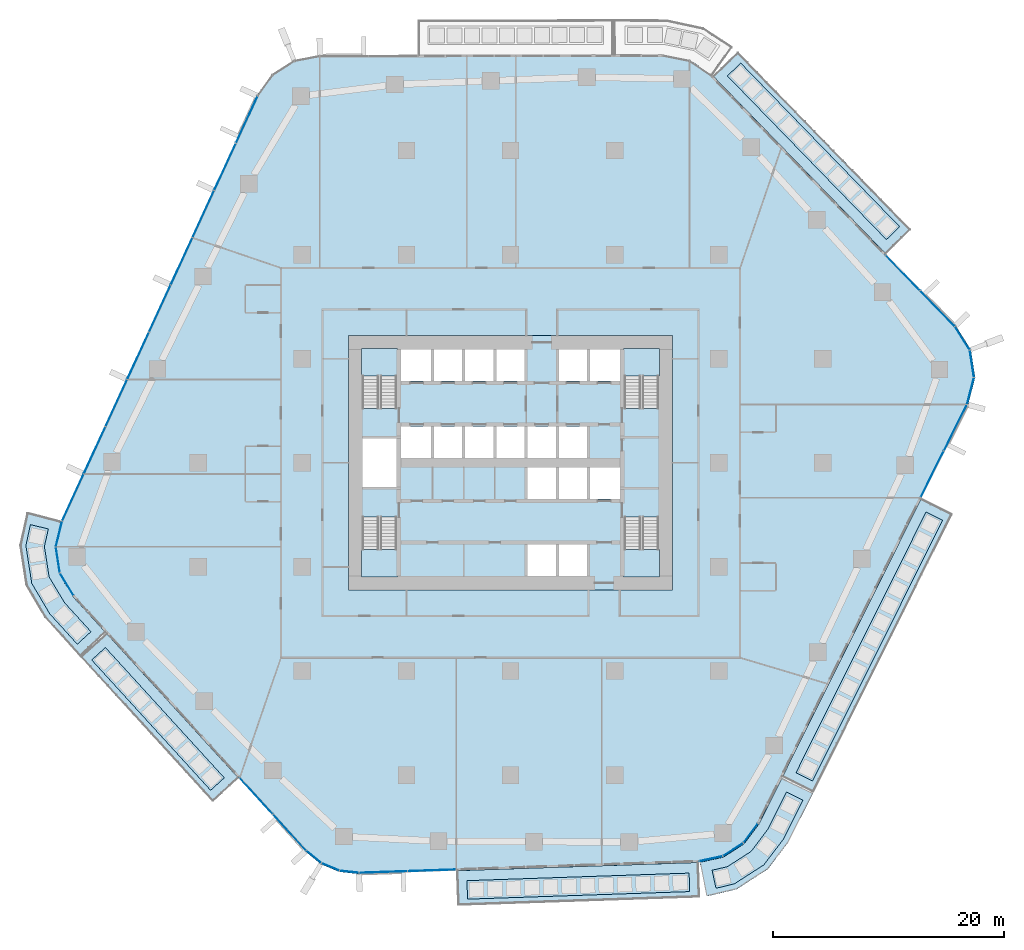
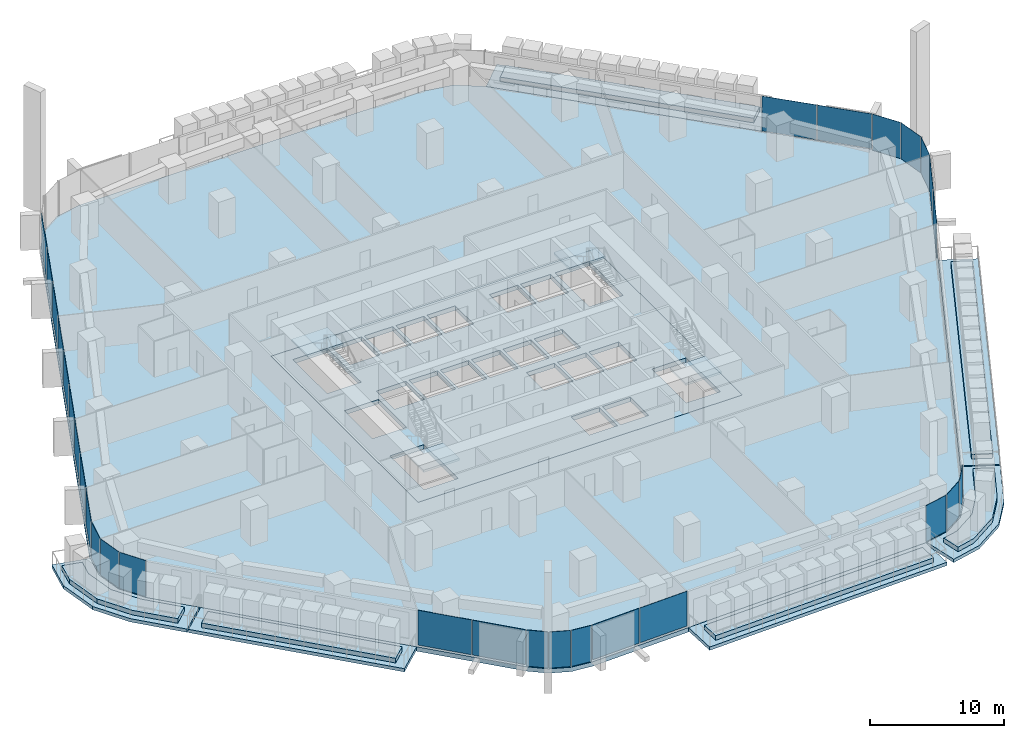
# One storey, part 11 of 26: 29 plates, 18 slabs, 13 elements without a shape of their own.
"""IFC4 building model written with IfcOpenShell, lengths in metres."""

from ifc_helpers import new_model, si_unit, direction, frame, origin, origin_2d, place, context, subcontext, project, spatial, polyline, rectangle, outline, extrude, material, layer, layer_set, type_object, element, aggregate, save


model = new_model("IFC4")

# Units and contexts
model_context = context("Model", 3, precision=1e-05, world=origin(), true_north=direction((0.0, 1.0)))
body_context = subcontext(model_context, "Body", "Model", "MODEL_VIEW")
ifc_project = project(units=[si_unit("LENGTHUNIT", "METRE"), si_unit("AREAUNIT", "SQUARE_METRE"), si_unit("VOLUMEUNIT", "CUBIC_METRE"), si_unit("PLANEANGLEUNIT", "RADIAN"), si_unit("MASSUNIT", "GRAM", prefix="KILO")], contexts=[model_context])

# Site, building, storey
site_placement = place(None, origin())
site = spatial("IfcSite", under=ifc_project, at=site_placement, CompositionType="ELEMENT")
building_placement = place(site_placement, origin())
building = spatial("IfcBuilding", under=site, at=building_placement, Name="Dongbaek Canopy Tower", CompositionType="ELEMENT")
storey_placement = place(building_placement, frame((0.0, 0.0, 66.199951171875)))
storey = spatial("IfcBuildingStorey", under=building, at=storey_placement, Name="L12", CompositionType="ELEMENT", Elevation=66.199951171875)

# Slabs
ifc_material_1 = material(Name="Concrete C40/50", Category="concrete")
ifc_layer_1 = layer(ifc_material_1, 0.300048828125)
ifc_layer_set_1 = layer_set([ifc_layer_1], Name="Balcony slab 300")
slab_type_1 = type_object("IfcSlabType", Name="Balcony slab 300", PredefinedType="FLOOR", material=ifc_layer_set_1)
slab_1_placement = place(storey_placement, frame((0.0, 0.0, -0.300048828125)))
element("IfcSlab", 1, at=slab_1_placement, inside=storey, type_object=slab_type_1, Name="Balcony L12 1", PredefinedType="FLOOR", context=body_context, shape_type="SweptSolid", body=[
    extrude(outline(polyline([(32.453369140625, 18.074462890625), (17.52197265625, 33.441162109375), (19.67333984375, 35.53173828125), (34.60498046875, 20.165283203125), (32.453369140625, 18.074462890625)])), origin(), (0.0, 0.0, 1.0), 0.300048828125),
])
slab_2_placement = place(storey_placement, frame((0.0, 0.0, -0.300048828125)))
element("IfcSlab", 2, at=slab_2_placement, inside=storey, type_object=slab_type_1, Name="Balcony L12 3", PredefinedType="FLOOR", context=body_context, shape_type="SweptSolid", body=[
    extrude(outline(polyline([(-34.946044921875, -14.74072265625), (-23.51904296875, -27.2646484375), (-25.7353515625, -29.28662109375), (-37.162109375, -16.762939453125), (-34.946044921875, -14.74072265625)])), origin(), (0.0, 0.0, 1.0), 0.300048828125),
])
slab_3_placement = place(storey_placement, frame((0.0, 0.0, -0.300048828125)))
element("IfcSlab", 3, at=slab_3_placement, inside=storey, type_object=slab_type_1, Name="Balcony L12 7", PredefinedType="FLOOR", context=body_context, shape_type="SweptSolid", body=[
    extrude(outline(polyline([(-38.88330078125, -5.05078125), (-39.416015625, -7.2646484375), (-39.05859375, -9.56396484375), (-37.853271484375, -11.554443359375), (-35.013427734375, -14.6669921875), (-37.2294921875, -16.68896484375), (-40.255859375, -13.350830078125), (-41.87744140625, -10.5908203125), (-42.413330078125, -7.1416015625), (-41.800048828125, -4.34912109375), (-38.88330078125, -5.05078125)])), origin(), (0.0, 0.0, 1.0), 0.300048828125),
])
slab_4_placement = place(storey_placement, frame((0.0, 0.0, -0.300048828125)))
element("IfcSlab", 4, at=slab_4_placement, inside=storey, type_object=slab_type_1, Name="Balcony L12 4", PredefinedType="FLOOR", context=body_context, shape_type="SweptSolid", body=[
    extrude(outline(polyline([(-4.64892578125, -35.265869140625), (16.259521484375, -34.55615234375), (16.361328125, -37.554443359375), (-4.547119140625, -38.26416015625), (-4.64892578125, -35.265869140625)])), origin(), (0.0, 0.0, 1.0), 0.300048828125),
])
slab_5_placement = place(storey_placement, frame((0.0, 0.0, -0.300048828125)))
element("IfcSlab", 5, at=slab_5_placement, inside=storey, type_object=slab_type_1, Name="Balcony L12 5", PredefinedType="FLOOR", context=body_context, shape_type="SweptSolid", body=[
    extrude(outline(polyline([(23.506103515625, -27.1650390625), (35.5146484375, -3.094482421875), (38.198974609375, -4.433837890625), (26.1904296875, -28.504150390625), (23.506103515625, -27.1650390625)])), origin(), (0.0, 0.0, 1.0), 0.300048828125),
])
slab_6_placement = place(storey_placement, frame((0.0, 0.0, -0.300048828125)))
element("IfcSlab", 6, at=slab_6_placement, inside=storey, type_object=slab_type_1, Name="Balcony L12 8", PredefinedType="FLOOR", context=body_context, shape_type="SweptSolid", body=[
    extrude(outline(polyline([(16.3583984375, -34.5439453125), (18.39794921875, -34.102783203125), (20.19580078125, -32.947998046875), (21.474853515625, -31.236328125), (23.46142578125, -27.25439453125), (26.145751953125, -28.59375), (24.02880859375, -32.810302734375), (22.24072265625, -35.14306640625), (19.5439453125, -36.875244140625), (16.992431640625, -37.47607421875), (16.3583984375, -34.5439453125)])), origin(), (0.0, 0.0, 1.0), 0.300048828125),
])

# Curtain wall, plates
ifc_material_2 = material(Name="Aluminium 6063-T6 pale anodised", Category="aluminium")
ifc_layer_2 = layer(ifc_material_2, 0.199951171875)
ifc_layer_set_2 = layer_set([ifc_layer_2], Name="CW-1 unitised tower curtain wall")
curtain_wall_type = type_object("IfcCurtainWallType", Name="CW-1 unitised tower curtain wall", PredefinedType="NOTDEFINED", material=ifc_layer_set_2)
curtain_wall_1_placement = place(storey_placement, origin())
curtain_wall_1 = element("IfcCurtainWall", 7, at=curtain_wall_1_placement, inside=storey, type_object=curtain_wall_type, Name="CW-1 curtain wall K0.1", PredefinedType="NOTDEFINED")
ifc_material_3 = material(Name="Clear laminated glass", Category="glass")
ifc_layer_3 = layer(ifc_material_3, 0.028076171875)
ifc_layer_set_3 = layer_set([ifc_layer_3], Name="CW-1 glazed panel 28")
plate_type = type_object("IfcPlateType", Name="CW-1 glazed panel 28", PredefinedType="CURTAIN_PANEL", material=ifc_layer_set_3)
plate_1_placement = place(storey_placement, frame((39.76806640625, 6.208740234375, 0.0), z_axis=(0.0, 0.0, 1.0), x_axis=(0.254303572242, 0.967124445532, 0.0)))
plate_1 = element("IfcPlate", 8, at=plate_1_placement, type_object=plate_type, Name="CW-1 panel K0.1.1.1", PredefinedType="CURTAIN_PANEL", context=body_context, shape_type="SweptSolid", body=[
    extrude(rectangle(XDim=2.3349609375, YDim=0.028076171875, at=origin_2d()), origin(), (0.0, 0.0, 1.0), 3.300048828125),
])
plate_2_placement = place(storey_placement, frame((39.890869140625, 8.568359375, 0.0), z_axis=(0.0, 0.0, 1.0), x_axis=(-0.153529895186, 0.988144003313, 0.0)))
plate_2 = element("IfcPlate", 9, at=plate_2_placement, type_object=plate_type, Name="CW-1 panel K0.1.2.1", PredefinedType="CURTAIN_PANEL", context=body_context, shape_type="SweptSolid", body=[
    extrude(rectangle(XDim=2.324462890625, YDim=0.028076171875, at=origin_2d()), origin(), (0.0, 0.0, 1.0), 3.300048828125),
])
plate_3_placement = place(storey_placement, frame((39.057861328125, 10.77978515625, 0.0), z_axis=(0.0, 0.0, 1.0), x_axis=(-0.535759188309, 0.844370826203, 0.0)))
plate_3 = element("IfcPlate", 10, at=plate_3_placement, type_object=plate_type, Name="CW-1 panel K0.1.3.1", PredefinedType="CURTAIN_PANEL", context=body_context, shape_type="SweptSolid", body=[
    extrude(rectangle(XDim=2.3349609375, YDim=0.028076171875, at=origin_2d()), origin(), (0.0, 0.0, 1.0), 3.300048828125),
])
aggregate(curtain_wall_1, [plate_1, plate_2, plate_3])

curtain_wall_2_placement = place(storey_placement, origin())
curtain_wall_2 = element("IfcCurtainWall", 11, at=curtain_wall_2_placement, inside=storey, type_object=curtain_wall_type, Name="CW-1 curtain wall F0.1", PredefinedType="NOTDEFINED")
plate_4_placement = place(storey_placement, frame((36.913330078125, 13.34130859375, 0.1201171875), z_axis=(0.0, 0.0, 1.0), x_axis=(-0.696881592027, 0.717186200853, 0.0)))
plate_4 = element("IfcPlate", 12, at=plate_4_placement, type_object=plate_type, Name="CW-1 panel F0.1.1.1", PredefinedType="CURTAIN_PANEL", context=body_context, shape_type="SweptSolid", body=[
    extrude(rectangle(XDim=4.2109375, YDim=0.028076171875, at=origin_2d()), origin(), (0.0, 0.0, 1.0), 3.179931640625),
])
plate_5_placement = place(storey_placement, frame((33.916748046875, 16.425048828125, 0.1201171875), z_axis=(0.0, 0.0, 1.0), x_axis=(-0.696881592027, 0.717186200853, 0.0)))
plate_5 = element("IfcPlate", 13, at=plate_5_placement, type_object=plate_type, Name="CW-1 panel F0.1.2.1", PredefinedType="CURTAIN_PANEL", context=body_context, shape_type="SweptSolid", body=[
    extrude(rectangle(XDim=4.22119140625, YDim=0.028076171875, at=origin_2d()), origin(), (0.0, 0.0, 1.0), 3.179931640625),
])
aggregate(curtain_wall_2, [plate_4, plate_5])

curtain_wall_3_placement = place(storey_placement, origin())
curtain_wall_3 = element("IfcCurtainWall", 14, at=curtain_wall_3_placement, inside=storey, type_object=curtain_wall_type, Name="CW-1 curtain wall F2.1", PredefinedType="NOTDEFINED")
plate_6_placement = place(storey_placement, frame((-22.805419921875, 29.6728515625, 0.1201171875), z_axis=(0.0, 0.0, 1.0), x_axis=(-0.418024643264, -0.908435687115, 0.0)))
plate_6 = element("IfcPlate", 15, at=plate_6_placement, type_object=plate_type, Name="CW-1 panel F2.1.1.1", PredefinedType="CURTAIN_PANEL", context=body_context, shape_type="SweptSolid", body=[
    extrude(rectangle(XDim=4.403076171875, YDim=0.028076171875, at=origin_2d()), origin(), (0.0, 0.0, 1.0), 3.179931640625),
])
plate_7_placement = place(storey_placement, frame((-24.68310546875, 25.59228515625, 0.1201171875), z_axis=(0.0, 0.0, 1.0), x_axis=(-0.418024643264, -0.908435687115, 0.0)))
plate_7 = element("IfcPlate", 16, at=plate_7_placement, type_object=plate_type, Name="CW-1 panel F2.1.2.1", PredefinedType="CURTAIN_PANEL", context=body_context, shape_type="SweptSolid", body=[
    extrude(rectangle(XDim=4.41259765625, YDim=0.028076171875, at=origin_2d()), origin(), (0.0, 0.0, 1.0), 3.179931640625),
])
plate_8_placement = place(storey_placement, frame((-26.562744140625, 21.50732421875, 0.1201171875), z_axis=(0.0, 0.0, 1.0), x_axis=(-0.418024643264, -0.908435687115, 0.0)))
plate_8 = element("IfcPlate", 17, at=plate_8_placement, type_object=plate_type, Name="CW-1 panel F2.1.3.1", PredefinedType="CURTAIN_PANEL", context=body_context, shape_type="SweptSolid", body=[
    extrude(rectangle(XDim=4.41259765625, YDim=0.028076171875, at=origin_2d()), origin(), (0.0, 0.0, 1.0), 3.179931640625),
])
plate_9_placement = place(storey_placement, frame((-28.442626953125, 17.422607421875, 0.1201171875), z_axis=(0.0, 0.0, 1.0), x_axis=(-0.418024643264, -0.908435687115, 0.0)))
plate_9 = element("IfcPlate", 18, at=plate_9_placement, type_object=plate_type, Name="CW-1 panel F2.1.4.1", PredefinedType="CURTAIN_PANEL", context=body_context, shape_type="SweptSolid", body=[
    extrude(rectangle(XDim=4.41259765625, YDim=0.028076171875, at=origin_2d()), origin(), (0.0, 0.0, 1.0), 3.179931640625),
])
plate_10_placement = place(storey_placement, frame((-30.322265625, 13.337646484375, 0.1201171875), z_axis=(0.0, 0.0, 1.0), x_axis=(-0.418024643264, -0.908435687115, 0.0)))
plate_10 = element("IfcPlate", 19, at=plate_10_placement, type_object=plate_type, Name="CW-1 panel F2.1.5.1", PredefinedType="CURTAIN_PANEL", context=body_context, shape_type="SweptSolid", body=[
    extrude(rectangle(XDim=4.41259765625, YDim=0.028076171875, at=origin_2d()), origin(), (0.0, 0.0, 1.0), 3.179931640625),
])
plate_11_placement = place(storey_placement, frame((-32.201904296875, 9.2529296875, 0.1201171875), z_axis=(0.0, 0.0, 1.0), x_axis=(-0.418024643264, -0.908435687115, 0.0)))
plate_11 = element("IfcPlate", 20, at=plate_11_placement, type_object=plate_type, Name="CW-1 panel F2.1.6.1", PredefinedType="CURTAIN_PANEL", context=body_context, shape_type="SweptSolid", body=[
    extrude(rectangle(XDim=4.41259765625, YDim=0.028076171875, at=origin_2d()), origin(), (0.0, 0.0, 1.0), 3.179931640625),
])
plate_12_placement = place(storey_placement, frame((-34.08154296875, 5.168212890625, 0.1201171875), z_axis=(0.0, 0.0, 1.0), x_axis=(-0.418024643264, -0.908435687115, 0.0)))
plate_12 = element("IfcPlate", 21, at=plate_12_placement, type_object=plate_type, Name="CW-1 panel F2.1.7.1", PredefinedType="CURTAIN_PANEL", context=body_context, shape_type="SweptSolid", body=[
    extrude(rectangle(XDim=4.41259765625, YDim=0.028076171875, at=origin_2d()), origin(), (0.0, 0.0, 1.0), 3.179931640625),
])
plate_13_placement = place(storey_placement, frame((-35.961181640625, 1.083251953125, 0.1201171875), z_axis=(0.0, 0.0, 1.0), x_axis=(-0.418024643264, -0.908435687115, 0.0)))
plate_13 = element("IfcPlate", 22, at=plate_13_placement, type_object=plate_type, Name="CW-1 panel F2.1.8.1", PredefinedType="CURTAIN_PANEL", context=body_context, shape_type="SweptSolid", body=[
    extrude(rectangle(XDim=4.41259765625, YDim=0.028076171875, at=origin_2d()), origin(), (0.0, 0.0, 1.0), 3.179931640625),
])
plate_14_placement = place(storey_placement, frame((-37.8388671875, -2.9970703125, 0.1201171875), z_axis=(0.0, 0.0, 1.0), x_axis=(-0.418024643264, -0.908435687115, 0.0)))
plate_14 = element("IfcPlate", 23, at=plate_14_placement, type_object=plate_type, Name="CW-1 panel F2.1.9.1", PredefinedType="CURTAIN_PANEL", context=body_context, shape_type="SweptSolid", body=[
    extrude(rectangle(XDim=4.40283203125, YDim=0.028076171875, at=origin_2d()), origin(), (0.0, 0.0, 1.0), 3.179931640625),
])
aggregate(curtain_wall_3, [plate_6, plate_7, plate_8, plate_9, plate_10, plate_11, plate_12, plate_13, plate_14])

curtain_wall_4_placement = place(storey_placement, origin())
curtain_wall_4 = element("IfcCurtainWall", 24, at=curtain_wall_4_placement, inside=storey, type_object=curtain_wall_type, Name="CW-1 curtain wall K3.1", PredefinedType="NOTDEFINED")
plate_15_placement = place(storey_placement, frame((-39.04541015625, -6.15185546875, 0.0), z_axis=(0.0, 0.0, 1.0), x_axis=(-0.233932352085, -0.972252875875, 0.0)))
plate_15 = element("IfcPlate", 25, at=plate_15_placement, type_object=plate_type, Name="CW-1 panel K3.1.1.1", PredefinedType="CURTAIN_PANEL", context=body_context, shape_type="SweptSolid", body=[
    extrude(rectangle(XDim=2.21337890625, YDim=0.028076171875, at=origin_2d()), origin(), (0.0, 0.0, 1.0), 3.300048828125),
])
plate_16_placement = place(storey_placement, frame((-39.138427734375, -8.39892578125, 0.0), z_axis=(0.0, 0.0, 1.0), x_axis=(0.153568518099, -0.988138001622, 0.0)))
plate_16 = element("IfcPlate", 26, at=plate_16_placement, type_object=plate_type, Name="CW-1 panel K3.1.2.1", PredefinedType="CURTAIN_PANEL", context=body_context, shape_type="SweptSolid", body=[
    extrude(rectangle(XDim=2.203369140625, YDim=0.028076171875, at=origin_2d()), origin(), (0.0, 0.0, 1.0), 3.300048828125),
])
plate_17_placement = place(storey_placement, frame((-38.367919921875, -10.51171875, 0.0), z_axis=(0.0, 0.0, 1.0), x_axis=(0.517971260884, -0.855398020163, 0.0)))
plate_17 = element("IfcPlate", 27, at=plate_17_placement, type_object=plate_type, Name="CW-1 panel K3.1.3.1", PredefinedType="CURTAIN_PANEL", context=body_context, shape_type="SweptSolid", body=[
    extrude(rectangle(XDim=2.21337890625, YDim=0.028076171875, at=origin_2d()), origin(), (0.0, 0.0, 1.0), 3.300048828125),
])
aggregate(curtain_wall_4, [plate_15, plate_16, plate_17])

curtain_wall_5_placement = place(storey_placement, origin())
curtain_wall_5 = element("IfcCurtainWall", 28, at=curtain_wall_5_placement, inside=storey, type_object=curtain_wall_type, Name="CW-1 curtain wall F3.1", PredefinedType="NOTDEFINED")
plate_18_placement = place(storey_placement, frame((-21.974853515625, -28.808837890625, 0.1201171875), z_axis=(0.0, 0.0, 1.0), x_axis=(0.674012428708, -0.738720005108, 0.0)))
plate_18 = element("IfcPlate", 29, at=plate_18_placement, type_object=plate_type, Name="CW-1 panel F3.1.1.1", PredefinedType="CURTAIN_PANEL", context=body_context, shape_type="SweptSolid", body=[
    extrude(rectangle(XDim=4.179443359375, YDim=0.028076171875, at=origin_2d()), origin(), (0.0, 0.0, 1.0), 3.179931640625),
])
plate_19_placement = place(storey_placement, frame((-19.103515625, -31.955810546875, 0.1201171875), z_axis=(0.0, 0.0, 1.0), x_axis=(0.674012428708, -0.738720005108, 0.0)))
plate_19 = element("IfcPlate", 30, at=plate_19_placement, type_object=plate_type, Name="CW-1 panel F3.1.2.1", PredefinedType="CURTAIN_PANEL", context=body_context, shape_type="SweptSolid", body=[
    extrude(rectangle(XDim=4.172119140625, YDim=0.028076171875, at=origin_2d()), origin(), (0.0, 0.0, 1.0), 3.179931640625),
])
aggregate(curtain_wall_5, [plate_18, plate_19])

curtain_wall_6_placement = place(storey_placement, origin())
curtain_wall_6 = element("IfcCurtainWall", 31, at=curtain_wall_6_placement, inside=storey, type_object=curtain_wall_type, Name="CW-1 curtain wall K4.1", PredefinedType="NOTDEFINED")
plate_20_placement = place(storey_placement, frame((-17.01123046875, -34.067626953125, 0.0), z_axis=(0.0, 0.0, 1.0), x_axis=(0.773161951853, -0.634208637758, 0.0)))
plate_20 = element("IfcPlate", 32, at=plate_20_placement, type_object=plate_type, Name="CW-1 panel K4.1.1.1", PredefinedType="CURTAIN_PANEL", context=body_context, shape_type="SweptSolid", body=[
    extrude(rectangle(XDim=1.618408203125, YDim=0.028076171875, at=origin_2d()), origin(), (0.0, 0.0, 1.0), 3.300048828125),
])
plate_21_placement = place(storey_placement, frame((-15.57177734375, -34.9365234375, 0.0), z_axis=(0.0, 0.0, 1.0), x_axis=(0.921599443138, -0.388142327513, 0.0)))
plate_21 = element("IfcPlate", 33, at=plate_21_placement, type_object=plate_type, Name="CW-1 panel K4.1.2.1", PredefinedType="CURTAIN_PANEL", context=body_context, shape_type="SweptSolid", body=[
    extrude(rectangle(XDim=1.611083984375, YDim=0.028076171875, at=origin_2d()), origin(), (0.0, 0.0, 1.0), 3.300048828125),
])
plate_22_placement = place(storey_placement, frame((-13.944580078125, -35.359130859375, 0.0), z_axis=(0.0, 0.0, 1.0), x_axis=(0.993929116272, -0.110022324221, 0.0)))
plate_22 = element("IfcPlate", 34, at=plate_22_placement, type_object=plate_type, Name="CW-1 panel K4.1.3.1", PredefinedType="CURTAIN_PANEL", context=body_context, shape_type="SweptSolid", body=[
    extrude(rectangle(XDim=1.618408203125, YDim=0.028076171875, at=origin_2d()), origin(), (0.0, 0.0, 1.0), 3.300048828125),
])
aggregate(curtain_wall_6, [plate_20, plate_21, plate_22])

curtain_wall_7_placement = place(storey_placement, origin())
curtain_wall_7 = element("IfcCurtainWall", 35, at=curtain_wall_7_placement, inside=storey, type_object=curtain_wall_type, Name="CW-1 curtain wall F4.1", PredefinedType="NOTDEFINED")
plate_23_placement = place(storey_placement, frame((-11.001220703125, -35.381591796875, 0.1201171875), z_axis=(0.0, 0.0, 1.0), x_axis=(0.999424118962, 0.033932734012, 0.0)))
plate_23 = element("IfcPlate", 36, at=plate_23_placement, type_object=plate_type, Name="CW-1 panel F4.1.1.1", PredefinedType="CURTAIN_PANEL", context=body_context, shape_type="SweptSolid", body=[
    extrude(rectangle(XDim=4.11279296875, YDim=0.028076171875, at=origin_2d()), origin(), (0.0, 0.0, 1.0), 3.179931640625),
])
plate_24_placement = place(storey_placement, frame((-6.80322265625, -35.239013671875, 0.1201171875), z_axis=(0.0, 0.0, 1.0), x_axis=(0.999424118962, 0.033932734012, 0.0)))
plate_24 = element("IfcPlate", 37, at=plate_24_placement, type_object=plate_type, Name="CW-1 panel F4.1.2.1", PredefinedType="CURTAIN_PANEL", context=body_context, shape_type="SweptSolid", body=[
    extrude(rectangle(XDim=4.1201171875, YDim=0.028076171875, at=origin_2d()), origin(), (0.0, 0.0, 1.0), 3.179931640625),
])
aggregate(curtain_wall_7, [plate_23, plate_24])

curtain_wall_8_placement = place(storey_placement, origin())
curtain_wall_8 = element("IfcCurtainWall", 38, at=curtain_wall_8_placement, inside=storey, type_object=curtain_wall_type, Name="CW-1 curtain wall K5.1", PredefinedType="NOTDEFINED")
plate_25_placement = place(storey_placement, frame((17.328125, -34.23193359375, 0.0), z_axis=(0.0, 0.0, 1.0), x_axis=(0.977410593537, 0.211349311905, 0.0)))
plate_25 = element("IfcPlate", 39, at=plate_25_placement, type_object=plate_type, Name="CW-1 panel K5.1.1.1", PredefinedType="CURTAIN_PANEL", context=body_context, shape_type="SweptSolid", body=[
    extrude(rectangle(XDim=2.025634765625, YDim=0.028076171875, at=origin_2d()), origin(), (0.0, 0.0, 1.0), 3.300048828125),
])
plate_26_placement = place(storey_placement, frame((19.242919921875, -33.441162109375, 0.0), z_axis=(0.0, 0.0, 1.0), x_axis=(0.841367811279, 0.540462955385, 0.0)))
plate_26 = element("IfcPlate", 40, at=plate_26_placement, type_object=plate_type, Name="CW-1 panel K5.1.2.1", PredefinedType="CURTAIN_PANEL", context=body_context, shape_type="SweptSolid", body=[
    extrude(rectangle(XDim=2.0166015625, YDim=0.028076171875, at=origin_2d()), origin(), (0.0, 0.0, 1.0), 3.300048828125),
])
plate_27_placement = place(storey_placement, frame((20.758056640625, -32.028564453125, 0.0), z_axis=(0.0, 0.0, 1.0), x_axis=(0.59861987819, 0.801033233665, 0.0)))
plate_27 = element("IfcPlate", 41, at=plate_27_placement, type_object=plate_type, Name="CW-1 panel K5.1.3.1", PredefinedType="CURTAIN_PANEL", context=body_context, shape_type="SweptSolid", body=[
    extrude(rectangle(XDim=2.025634765625, YDim=0.028076171875, at=origin_2d()), origin(), (0.0, 0.0, 1.0), 3.300048828125),
])
aggregate(curtain_wall_8, [plate_25, plate_26, plate_27])

curtain_wall_9_placement = place(storey_placement, origin())
curtain_wall_9 = element("IfcCurtainWall", 42, at=curtain_wall_9_placement, inside=storey, type_object=curtain_wall_type, Name="CW-1 curtain wall F5.1", PredefinedType="NOTDEFINED")
plate_28_placement = place(storey_placement, frame((36.451904296875, -0.99169921875, 0.1201171875), z_axis=(0.0, 0.0, 1.0), x_axis=(0.446420474241, 0.894823312268, 0.0)))
plate_28 = element("IfcPlate", 43, at=plate_28_placement, type_object=plate_type, Name="CW-1 panel F5.1.1.1", PredefinedType="CURTAIN_PANEL", context=body_context, shape_type="SweptSolid", body=[
    extrude(rectangle(XDim=4.416015625, YDim=0.028076171875, at=origin_2d()), origin(), (0.0, 0.0, 1.0), 3.179931640625),
])
plate_29_placement = place(storey_placement, frame((38.45849609375, 3.0302734375, 0.1201171875), z_axis=(0.0, 0.0, 1.0), x_axis=(0.446420474241, 0.894823312268, 0.0)))
plate_29 = element("IfcPlate", 44, at=plate_29_placement, type_object=plate_type, Name="CW-1 panel F5.1.2.1", PredefinedType="CURTAIN_PANEL", context=body_context, shape_type="SweptSolid", body=[
    extrude(rectangle(XDim=4.405517578125, YDim=0.028076171875, at=origin_2d()), origin(), (0.0, 0.0, 1.0), 3.179931640625),
])
aggregate(curtain_wall_9, [plate_28, plate_29])

# Slab
ifc_material_4 = material(Name="Concrete C40/50", Category="concrete")
ifc_layer_4 = layer(ifc_material_4, 0.39990234375)
ifc_layer_set_4 = layer_set([ifc_layer_4], Name="Core floor slab 400 Concrete C40/50")
slab_type_2 = type_object("IfcSlabType", Name="Core floor slab 400 Concrete C40/50", PredefinedType="FLOOR", material=ifc_layer_set_4)
slab_7_placement = place(storey_placement, frame((0.0, 0.0, -0.39990234375)))
element("IfcSlab", 45, at=slab_7_placement, inside=storey, type_object=slab_type_2, Name="Core floor slab L12", PredefinedType="FLOOR", context=body_context, shape_type="SweptSolid", body=[
    extrude(outline(polyline([(14.0, -11.0), (14.0, 11.0), (-14.0, 11.0), (-14.0, -11.0), (14.0, -11.0)]), holes=[polyline([(-12.800048828125, 2.10009765625), (-9.85009765625, 2.10009765625), (-9.85009765625, -2.10009765625), (-12.800048828125, -2.10009765625), (-12.800048828125, 2.10009765625)]), polyline([(-6.875, 9.800048828125), (-6.875, 7.074951171875), (-9.449951171875, 7.074951171875), (-9.449951171875, 9.800048828125), (-6.875, 9.800048828125)]), polyline([(-4.175048828125, 9.800048828125), (-4.175048828125, 7.074951171875), (-6.625, 7.074951171875), (-6.625, 9.800048828125), (-4.175048828125, 9.800048828125)]), polyline([(-1.47509765625, 9.800048828125), (-1.47509765625, 7.074951171875), (-3.925048828125, 7.074951171875), (-3.925048828125, 9.800048828125), (-1.47509765625, 9.800048828125)]), polyline([(1.22509765625, 9.800048828125), (1.22509765625, 7.074951171875), (-1.22509765625, 7.074951171875), (-1.22509765625, 9.800048828125), (1.22509765625, 9.800048828125)]), polyline([(6.625, 9.800048828125), (6.625, 7.074951171875), (4.175048828125, 7.074951171875), (4.175048828125, 9.800048828125), (6.625, 9.800048828125)]), polyline([(9.449951171875, 7.074951171875), (6.875, 7.074951171875), (6.875, 9.800048828125), (9.449951171875, 9.800048828125), (9.449951171875, 7.074951171875)]), polyline([(-9.449951171875, 3.125), (-6.875, 3.125), (-6.875, 0.39990234375), (-9.449951171875, 0.39990234375), (-9.449951171875, 3.125)]), polyline([(-6.625, 3.125), (-4.175048828125, 3.125), (-4.175048828125, 0.39990234375), (-6.625, 0.39990234375), (-6.625, 3.125)]), polyline([(-3.925048828125, 3.125), (-1.47509765625, 3.125), (-1.47509765625, 0.39990234375), (-3.925048828125, 0.39990234375), (-3.925048828125, 3.125)]), polyline([(-1.22509765625, 3.125), (1.22509765625, 3.125), (1.22509765625, 0.39990234375), (-1.22509765625, 0.39990234375), (-1.22509765625, 3.125)]), polyline([(3.925048828125, 3.125), (3.925048828125, 0.39990234375), (1.47509765625, 0.39990234375), (1.47509765625, 3.125), (3.925048828125, 3.125)]), polyline([(4.175048828125, 3.125), (6.625, 3.125), (6.625, 0.39990234375), (4.175048828125, 0.39990234375), (4.175048828125, 3.125)]), polyline([(1.47509765625, -0.39990234375), (3.925048828125, -0.39990234375), (3.925048828125, -3.125), (1.47509765625, -3.125), (1.47509765625, -0.39990234375)]), polyline([(4.175048828125, -3.125), (4.175048828125, -0.39990234375), (6.625, -0.39990234375), (6.625, -3.125), (4.175048828125, -3.125)]), polyline([(9.449951171875, -3.125), (6.875, -3.125), (6.875, -0.39990234375), (9.449951171875, -0.39990234375), (9.449951171875, -3.125)]), polyline([(1.47509765625, -9.800048828125), (1.47509765625, -7.074951171875), (3.925048828125, -7.074951171875), (3.925048828125, -9.800048828125), (1.47509765625, -9.800048828125)]), polyline([(4.175048828125, -9.800048828125), (4.175048828125, -7.074951171875), (6.625, -7.074951171875), (6.625, -9.800048828125), (4.175048828125, -9.800048828125)]), polyline([(12.800048828125, 4.70068359375), (12.800048828125, 9.800048828125), (9.85009765625, 9.800048828125), (9.85009765625, 4.70068359375), (12.800048828125, 4.70068359375)]), polyline([(-9.85009765625, 4.70068359375), (-9.85009765625, 9.800048828125), (-12.800048828125, 9.800048828125), (-12.800048828125, 4.70068359375), (-9.85009765625, 4.70068359375)]), polyline([(9.85009765625, -4.70068359375), (9.85009765625, -9.800048828125), (12.800048828125, -9.800048828125), (12.800048828125, -4.70068359375), (9.85009765625, -4.70068359375)]), polyline([(-12.800048828125, -4.70068359375), (-12.800048828125, -9.800048828125), (-9.85009765625, -9.800048828125), (-9.85009765625, -4.70068359375), (-12.800048828125, -4.70068359375)])]), origin(), (0.0, 0.0, 1.0), 0.39990234375),
])

# Stair, slab
ifc_material_5 = material(Name="Concrete C40/50", Category="concrete")
stair_type = type_object("IfcStairType", Name="Core exit stair", PredefinedType="HALF_TURN_STAIR", material=ifc_material_5)
stair_1_placement = place(storey_placement, origin())
stair_1 = element("IfcStair", 46, at=stair_1_placement, inside=storey, type_object=stair_type, Name="L12 exit stair A", PredefinedType="HALF_TURN_STAIR")
ifc_material_6 = material(Name="Concrete C40/50", Category="concrete")
ifc_layer_5 = layer(ifc_material_6, 0.199951171875)
ifc_layer_set_5 = layer_set([ifc_layer_5], Name="Core stair landing 200")
slab_type_3 = type_object("IfcSlabType", Name="Core stair landing 200", PredefinedType="LANDING", material=ifc_layer_set_5)
slab_8_placement = place(storey_placement, frame((0.0, 0.0, 1.650146484375)))
slab_8 = element("IfcSlab", 47, at=slab_8_placement, type_object=slab_type_3, Name="ST-A landing 1", PredefinedType="LANDING", context=body_context, shape_type="SweptSolid", body=[
    extrude(outline(polyline([(12.875, 7.5), (12.875, 9.875), (9.77490234375, 9.875), (9.77490234375, 7.5), (12.875, 7.5)])), origin(), (0.0, 0.0, 1.0), 0.199951171875),
])
aggregate(stair_1, [slab_8])

stair_2_placement = place(storey_placement, origin())
stair_2 = element("IfcStair", 48, at=stair_2_placement, inside=storey, type_object=stair_type, Name="L12 exit stair C", PredefinedType="HALF_TURN_STAIR")
slab_9_placement = place(storey_placement, frame((0.0, 0.0, 1.650146484375)))
slab_9 = element("IfcSlab", 49, at=slab_9_placement, type_object=slab_type_3, Name="ST-C landing 1", PredefinedType="LANDING", context=body_context, shape_type="SweptSolid", body=[
    extrude(outline(polyline([(-9.77490234375, 7.5), (-9.77490234375, 9.875), (-12.875, 9.875), (-12.875, 7.5), (-9.77490234375, 7.5)])), origin(), (0.0, 0.0, 1.0), 0.199951171875),
])
aggregate(stair_2, [slab_9])

stair_3_placement = place(storey_placement, origin())
stair_3 = element("IfcStair", 50, at=stair_3_placement, inside=storey, type_object=stair_type, Name="L12 exit stair B", PredefinedType="HALF_TURN_STAIR")
slab_10_placement = place(storey_placement, frame((0.0, 0.0, 1.650146484375)))
slab_10 = element("IfcSlab", 51, at=slab_10_placement, type_object=slab_type_3, Name="ST-B landing 1", PredefinedType="LANDING", context=body_context, shape_type="SweptSolid", body=[
    extrude(outline(polyline([(9.77490234375, -7.5), (9.77490234375, -9.875), (12.875, -9.875), (12.875, -7.5), (9.77490234375, -7.5)])), origin(), (0.0, 0.0, 1.0), 0.199951171875),
])
aggregate(stair_3, [slab_10])

stair_4_placement = place(storey_placement, origin())
stair_4 = element("IfcStair", 52, at=stair_4_placement, inside=storey, type_object=stair_type, Name="L12 exit stair D", PredefinedType="HALF_TURN_STAIR")
slab_11_placement = place(storey_placement, frame((0.0, 0.0, 1.650146484375)))
slab_11 = element("IfcSlab", 53, at=slab_11_placement, type_object=slab_type_3, Name="ST-D landing 1", PredefinedType="LANDING", context=body_context, shape_type="SweptSolid", body=[
    extrude(outline(polyline([(-12.875, -7.5), (-12.875, -9.875), (-9.77490234375, -9.875), (-9.77490234375, -7.5), (-12.875, -7.5)])), origin(), (0.0, 0.0, 1.0), 0.199951171875),
])
aggregate(stair_4, [slab_11])

# Slabs
ifc_material_7 = material(Name="Concrete C40", Category="concrete")
ifc_layer_6 = layer(ifc_material_7, 0.39990234375)
ifc_layer_set_6 = layer_set([ifc_layer_6], Name="RC FLAT PLATE 400 Concrete C40")
slab_type_4 = type_object("IfcSlabType", Name="RC FLAT PLATE 400 Concrete C40", PredefinedType="FLOOR", material=ifc_layer_set_6)
slab_12_placement = place(storey_placement, frame((0.0, 0.0, -0.39990234375)))
element("IfcSlab", 54, at=slab_12_placement, inside=storey, type_object=slab_type_4, Name="SLAB:L12", PredefinedType="FLOOR", context=body_context, shape_type="SweptSolid", body=[
    extrude(outline(polyline([(21.474853515625, -31.236328125), (20.19580078125, -32.947998046875), (18.39794921875, -34.102783203125), (16.3095703125, -34.554443359375), (-13.102294921875, -35.552978515625), (-14.816162109375, -35.36328125), (-16.4052734375, -34.694091796875), (-17.73828125, -33.6005859375), (-37.853271484375, -11.554443359375), (-39.05859375, -9.56396484375), (-39.416015625, -7.2646484375), (-38.87158203125, -5.002197265625), (-21.95458984375, 31.76123046875), (-20.63818359375, 33.6015625), (-18.73388671875, 34.823486328125), (-16.512451171875, 35.253173828125), (13.17529296875, 35.2958984375), (15.515869140625, 34.82421875), (17.487060546875, 33.47705078125), (38.48876953125, 11.86328125), (39.801513671875, 9.79443359375), (40.177734375, 7.373291015625), (39.5546875, 5.00341796875), (21.474853515625, -31.236328125)]), holes=[polyline([(14.0, 11.0), (-14.0, 11.0), (-14.0, -11.0), (14.0, -11.0), (14.0, 11.0)])]), origin(), (0.0, 0.0, 1.0), 0.39990234375),
])
ifc_material_8 = material(Name="Reinforced concrete C40/50 planter box with soil", Category="concrete")
ifc_layer_7 = layer(ifc_material_8, 0.419921875)
ifc_layer_set_7 = layer_set([ifc_layer_7], Name="Terrace planter box 1600 x 420")
slab_type_5 = type_object("IfcSlabType", Name="Terrace planter box 1600 x 420", PredefinedType="USERDEFINED", material=ifc_layer_set_7)
slab_13_placement = place(storey_placement, origin())
element("IfcSlab", 55, at=slab_13_placement, inside=storey, type_object=slab_type_5, Name="Balcony planter L12 1", ObjectType="PLANTER", PredefinedType="USERDEFINED", context=body_context, shape_type="SweptSolid", body=[
    extrude(outline(polyline([(32.49951171875, 19.304443359375), (18.75244140625, 33.451904296875), (19.900146484375, 34.56689453125), (33.64697265625, 20.41943359375), (32.49951171875, 19.304443359375)])), origin(), (0.0, 0.0, 1.0), 0.420166015625),
])
slab_14_placement = place(storey_placement, origin())
element("IfcSlab", 56, at=slab_14_placement, inside=storey, type_object=slab_type_5, Name="Balcony planter L12 3", ObjectType="PLANTER", PredefinedType="USERDEFINED", context=body_context, shape_type="SweptSolid", body=[
    extrude(outline(polyline([(-35.030517578125, -15.968505859375), (-24.74951171875, -27.236572265625), (-25.931396484375, -28.315185546875), (-36.21240234375, -17.047119140625), (-35.030517578125, -15.968505859375)])), origin(), (0.0, 0.0, 1.0), 0.420166015625),
])
slab_15_placement = place(storey_placement, origin())
element("IfcSlab", 57, at=slab_15_placement, inside=storey, type_object=slab_type_5, Name="Balcony planter L12 7", ObjectType="PLANTER", PredefinedType="USERDEFINED", context=body_context, shape_type="SweptSolid", body=[
    extrude(outline(polyline([(-39.959228515625, -5.717529296875), (-40.30517578125, -7.22802734375), (-39.894775390625, -9.86865234375), (-38.566162109375, -12.08740234375), (-36.277587890625, -14.60205078125), (-37.45947265625, -15.680419921875), (-39.847412109375, -13.04541015625), (-41.398193359375, -10.416259765625), (-41.90380859375, -7.16259765625), (-41.5146484375, -5.34326171875), (-39.959228515625, -5.717529296875)])), origin(), (0.0, 0.0, 1.0), 0.420166015625),
])
slab_16_placement = place(storey_placement, origin())
element("IfcSlab", 58, at=slab_16_placement, inside=storey, type_object=slab_type_5, Name="Balcony planter L12 4", ObjectType="PLANTER", PredefinedType="USERDEFINED", context=body_context, shape_type="SweptSolid", body=[
    extrude(outline(polyline([(-3.769287109375, -36.126708984375), (15.440185546875, -35.474365234375), (15.49462890625, -37.073486328125), (-3.715087890625, -37.725830078125), (-3.769287109375, -36.126708984375)])), origin(), (0.0, 0.0, 1.0), 0.420166015625),
])
slab_17_placement = place(storey_placement, origin())
element("IfcSlab", 59, at=slab_17_placement, inside=storey, type_object=slab_type_5, Name="Balcony planter L12 5", ObjectType="PLANTER", PredefinedType="USERDEFINED", context=body_context, shape_type="SweptSolid", body=[
    extrude(outline(polyline([(24.681884765625, -26.8017578125), (35.931640625, -4.25244140625), (37.36328125, -4.966796875), (26.113525390625, -27.515869140625), (24.681884765625, -26.8017578125)])), origin(), (0.0, 0.0, 1.0), 0.420166015625),
])
slab_18_placement = place(storey_placement, origin())
element("IfcSlab", 60, at=slab_18_placement, inside=storey, type_object=slab_type_5, Name="Balcony planter L12 8", ObjectType="PLANTER", PredefinedType="USERDEFINED", context=body_context, shape_type="SweptSolid", body=[
    extrude(outline(polyline([(17.42626953125, -35.223388671875), (18.738037109375, -34.92529296875), (20.802490234375, -33.59912109375), (22.232666015625, -31.703369140625), (23.85595703125, -28.45703125), (25.287841796875, -29.17138671875), (23.5947265625, -32.542724609375), (21.89306640625, -34.769775390625), (19.34912109375, -36.404052734375), (17.764404296875, -36.787353515625), (17.42626953125, -35.223388671875)])), origin(), (0.0, 0.0, 1.0), 0.420166015625),
])

save(model, "model.ifc")
